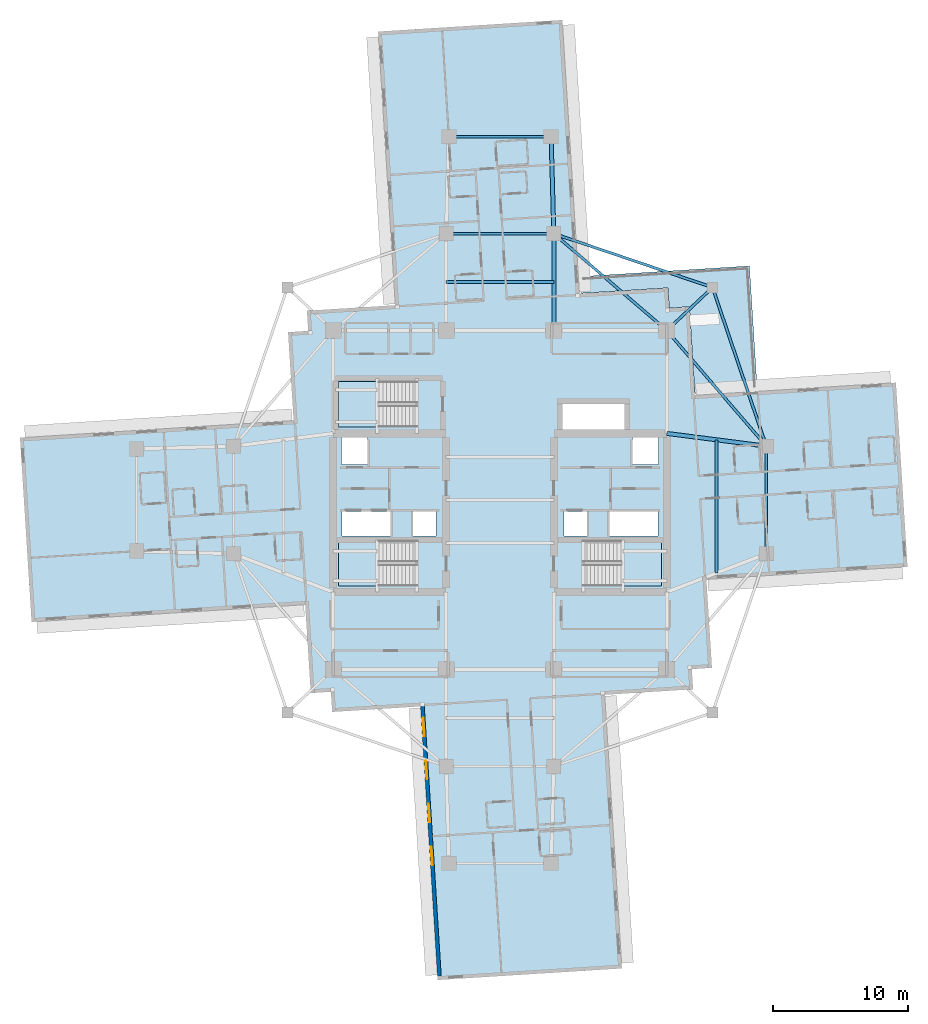
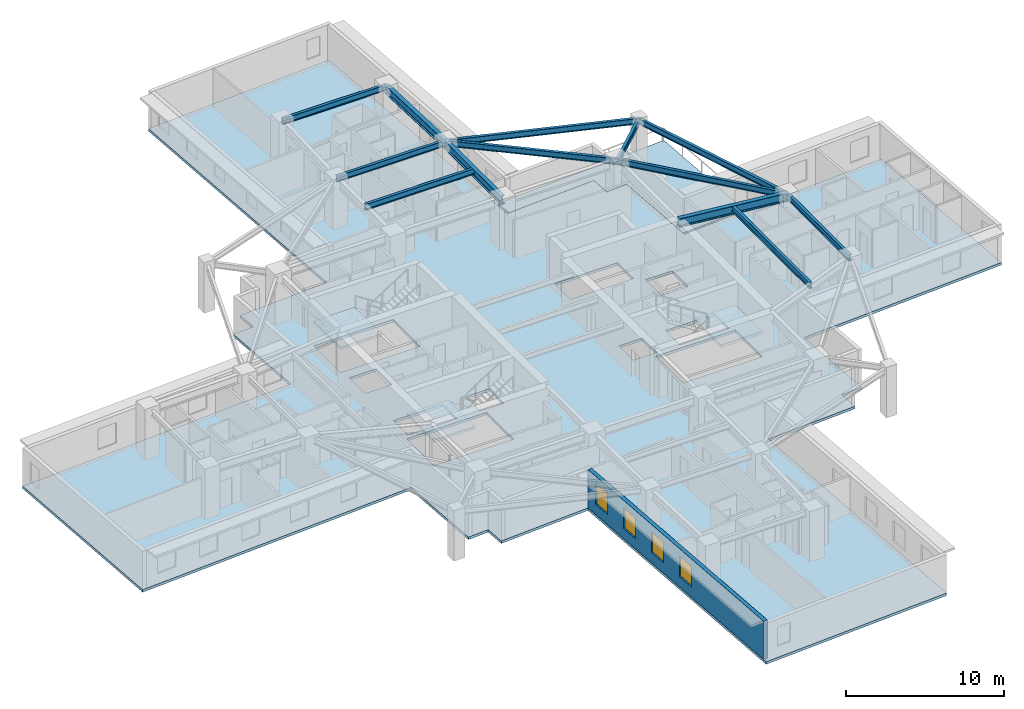
# One storey, part 2 of 14: 13 beams, 5 slabs, 4 windows, 1 wall, 4 openings, 3 elements without a shape of their own.
"""IFC4 building model written with IfcOpenShell, lengths in metres."""

from ifc_helpers import new_model, si_unit, direction, frame, frame_2d, origin, origin_2d, place, context, subcontext, project, spatial, polyline, rectangle, i_section, outline, extrude, material, layer, layer_set, material_profile, profile_set, type_object, element, fill, aggregate, save


model = new_model("IFC4")

# Units and contexts
model_context = context("Model", 3, precision=1e-05, world=origin(), true_north=direction((0.0, 1.0)))
body_context = subcontext(model_context, "Body", "Model", "MODEL_VIEW")
ifc_project = project(units=[si_unit("LENGTHUNIT", "METRE"), si_unit("AREAUNIT", "SQUARE_METRE"), si_unit("VOLUMEUNIT", "CUBIC_METRE"), si_unit("PLANEANGLEUNIT", "RADIAN"), si_unit("MASSUNIT", "GRAM", prefix="KILO")], contexts=[model_context])

# Site, building, storey
site_placement = place(None, origin())
site = spatial("IfcSite", under=ifc_project, at=site_placement, CompositionType="ELEMENT")
building_placement = place(site_placement, origin())
building = spatial("IfcBuilding", under=site, at=building_placement, Name="Qingluan Cross Belvedere", CompositionType="ELEMENT")
storey_placement = place(building_placement, frame((0.0, 0.0, 128.10009765625)))
storey = spatial("IfcBuildingStorey", under=building, at=storey_placement, Name="L32", CompositionType="ELEMENT", Elevation=128.10009765625)

# Beams
ifc_material_1 = material(Name="Steel Q420GJB", Category="steel")
ifc_material_profile_1 = material_profile(ifc_material_1, i_section(OverallWidth=0.199951171875, OverallDepth=0.449951171875, WebThickness=0.009033203125, FlangeThickness=0.013916015625, FilletRadius=0.01611328125, at=origin_2d()), Name="HN450x200x9x14")
ifc_profile_set_1 = profile_set([ifc_material_profile_1], Name="Steel Q420GJB")
beam_type_1 = type_object("IfcBeamType", Name="Steel_Beam_HN450x200x9x14", PredefinedType="JOIST", material=ifc_profile_set_1)
beam_1_placement = place(storey_placement, frame((12.39990234375, 12.60009765625, 3.454833984375), z_axis=(0.728219948308, 0.685343495546, 0.0), x_axis=(-0.685343495546, 0.728219948308, 0.0)))
element("IfcBeam", 1, at=beam_1_placement, inside=storey, type_object=beam_type_1, Name="Corner beam 1 L32-RNE", PredefinedType="JOIST", context=body_context, shape_type="SweptSolid", body=[
    extrude(i_section(OverallWidth=0.199951171875, OverallDepth=0.449951171875, WebThickness=0.009033203125, FlangeThickness=0.013916015625, FilletRadius=0.01611328125, at=origin_2d()), origin(), (0.0, 0.0, 1.0), 4.669189453125),
])
for number, where, z_axis, x_axis, name in (
    (2, (15.800048828125, 15.800048828125, 3.454833984375), (-0.947066283324, 0.321038089628, 0.0), (-0.321038089628, -0.947066283324, 0.0), "Corner beam 2 L32-RNE"),
    (3, (15.800048828125, 15.800048828125, 3.454833984375), (0.321038089628, -0.947066283324, 0.0), (0.947066283324, 0.321038089628, 0.0), "Corner beam 3 L32-RNE"),
):
    element("IfcBeam", number, at=place(storey_placement, frame(where, z_axis=z_axis, x_axis=x_axis)), inside=storey, type_object=beam_type_1, Name=name, PredefinedType="JOIST", context=body_context, shape_type="SweptSolid", body=[
        extrude(i_section(OverallWidth=0.199951171875, OverallDepth=0.449951171875, WebThickness=0.009033203125, FlangeThickness=0.013916015625, FilletRadius=0.01611328125, at=origin_2d()), origin(), (0.0, 0.0, 1.0), 12.45947265625),
    ])
beam_2_placement = place(storey_placement, frame((12.39990234375, 12.60009765625, 3.454833984375), z_axis=(0.652245077546, -0.75800815221, 0.0), x_axis=(0.75800815221, 0.652245077546, 0.0)))
element("IfcBeam", 4, at=beam_2_placement, inside=storey, type_object=beam_type_1, Name="Corner beam 4 L32-RNE", PredefinedType="JOIST", context=body_context, shape_type="SweptSolid", body=[
    extrude(i_section(OverallWidth=0.199951171875, OverallDepth=0.449951171875, WebThickness=0.009033203125, FlangeThickness=0.013916015625, FilletRadius=0.01611328125, at=origin_2d()), origin(), (0.0, 0.0, 1.0), 11.345703125),
])
beam_3_placement = place(storey_placement, frame((12.39990234375, 12.60009765625, 3.454833984375), z_axis=(-0.759255044656, 0.650793190779, 0.0), x_axis=(-0.650793190779, -0.759255044656, 0.0)))
element("IfcBeam", 5, at=beam_3_placement, inside=storey, type_object=beam_type_1, Name="Corner beam 5 L32-RNE", PredefinedType="JOIST", context=body_context, shape_type="SweptSolid", body=[
    extrude(i_section(OverallWidth=0.199951171875, OverallDepth=0.449951171875, WebThickness=0.009033203125, FlangeThickness=0.013916015625, FilletRadius=0.01611328125, at=origin_2d()), origin(), (0.0, 0.0, 1.0), 11.063232421875),
])
beam_4_placement = place(storey_placement, frame((19.800048828125, -4.0, 3.474853515625), z_axis=(0.0, 1.0, 0.0), x_axis=(-1.0, 0.0, 0.0)))
element("IfcBeam", 6, at=beam_4_placement, inside=storey, type_object=beam_type_1, Name="Arm E tie L32", PredefinedType="JOIST", context=body_context, shape_type="SweptSolid", body=[
    extrude(i_section(OverallWidth=0.199951171875, OverallDepth=0.449951171875, WebThickness=0.009033203125, FlangeThickness=0.013916015625, FilletRadius=0.01611328125, at=origin_2d()), origin(), (0.0, 0.0, 1.0), 8.0),
])
beam_5_placement = place(storey_placement, frame((16.10009765625, -5.425048828125, 3.474853515625), z_axis=(0.0, 1.0, 0.0), x_axis=(-1.0, 0.0, 0.0)))
element("IfcBeam", 7, at=beam_5_placement, inside=storey, type_object=beam_type_1, Name="Arm E beam L32", PredefinedType="JOIST", context=body_context, shape_type="SweptSolid", body=[
    extrude(i_section(OverallWidth=0.199951171875, OverallDepth=0.449951171875, WebThickness=0.009033203125, FlangeThickness=0.013916015625, FilletRadius=0.01611328125, at=origin_2d()), origin(), (0.0, 0.0, 1.0), 9.900146484375),
])
for number, where, z_axis, x_axis, name in (
    (8, (-4.0, 19.800048828125, 3.474853515625), (1.0, 0.0, 0.0), (0.0, 1.0, 0.0), "Arm N tie L32"),
    (9, (-4.0, 16.199951171875, 3.474853515625), (1.0, 0.0, 0.0), (0.0, 1.0, 0.0), "Arm N beam L32"),
):
    element("IfcBeam", number, at=place(storey_placement, frame(where, z_axis=z_axis, x_axis=x_axis)), inside=storey, type_object=beam_type_1, Name=name, PredefinedType="JOIST", context=body_context, shape_type="SweptSolid", body=[
        extrude(i_section(OverallWidth=0.199951171875, OverallDepth=0.449951171875, WebThickness=0.009033203125, FlangeThickness=0.013916015625, FilletRadius=0.01611328125, at=origin_2d()), origin(), (0.0, 0.0, 1.0), 8.0),
    ])
beam_6_placement = place(storey_placement, frame((-3.800048828125, 27.0, 3.474853515625), z_axis=(1.0, 0.0, 0.0), x_axis=(0.0, 1.0, 0.0)))
element("IfcBeam", 10, at=beam_6_placement, inside=storey, type_object=beam_type_1, Name="Arm N tip transverse beam L32", PredefinedType="JOIST", context=body_context, shape_type="SweptSolid", body=[
    extrude(i_section(OverallWidth=0.199951171875, OverallDepth=0.449951171875, WebThickness=0.009033203125, FlangeThickness=0.013916015625, FilletRadius=0.01611328125, at=origin_2d()), origin(), (0.0, 0.0, 1.0), 7.60009765625),
])
ifc_material_2 = material(Name="Steel Q420GJB", Category="steel")
ifc_material_profile_2 = material_profile(ifc_material_2, i_section(OverallWidth=0.300048828125, OverallDepth=0.64990234375, WebThickness=0.014404296875, FlangeThickness=0.02587890625, FilletRadius=0.027099609375, at=origin_2d()), Name="HEB650")
ifc_profile_set_2 = profile_set([ifc_material_profile_2], Name="Steel Q420GJB")
beam_type_2 = type_object("IfcBeamType", Name="Steel_Girder_HEB650", PredefinedType="USERDEFINED", material=ifc_profile_set_2)
beam_7_placement = place(storey_placement, frame((12.39990234375, 4.949951171875, 3.375), z_axis=(0.991861120628, -0.12732445714, 0.0), x_axis=(0.12732445714, 0.991861120628, 0.0)))
element("IfcBeam", 11, at=beam_7_placement, inside=storey, type_object=beam_type_2, Name="Arm E radial girder B L32", ObjectType="GIRDER", PredefinedType="USERDEFINED", context=body_context, shape_type="SweptSolid", body=[
    extrude(i_section(OverallWidth=0.300048828125, OverallDepth=0.64990234375, WebThickness=0.014404296875, FlangeThickness=0.02587890625, FilletRadius=0.027099609375, at=origin_2d()), origin(), (0.0, 0.0, 1.0), 7.4609375),
])
beam_8_placement = place(storey_placement, frame((4.0, 12.60009765625, 3.375), z_axis=(0.0, 1.0, 0.0), x_axis=(-1.0, 0.0, 0.0)))
element("IfcBeam", 12, at=beam_8_placement, inside=storey, type_object=beam_type_2, Name="Arm N radial girder B L32", ObjectType="GIRDER", PredefinedType="USERDEFINED", context=body_context, shape_type="SweptSolid", body=[
    extrude(i_section(OverallWidth=0.300048828125, OverallDepth=0.64990234375, WebThickness=0.014404296875, FlangeThickness=0.02587890625, FilletRadius=0.027099609375, at=origin_2d()), origin(), (0.0, 0.0, 1.0), 7.199951171875),
])
beam_9_placement = place(storey_placement, frame((4.0, 19.800048828125, 3.375), z_axis=(-0.027760481514, 0.999614603568, 0.0), x_axis=(-0.999614603568, -0.027760481514, 0.0)))
element("IfcBeam", 13, at=beam_9_placement, inside=storey, type_object=beam_type_2, Name="Arm N outer radial girder B L32", ObjectType="GIRDER", PredefinedType="USERDEFINED", context=body_context, shape_type="SweptSolid", body=[
    extrude(i_section(OverallWidth=0.300048828125, OverallDepth=0.64990234375, WebThickness=0.014404296875, FlangeThickness=0.02587890625, FilletRadius=0.027099609375, at=origin_2d()), origin(), (0.0, 0.0, 1.0), 7.20263671875),
])

# Slab
ifc_material_3 = material(Name="Concrete C40", Category="concrete")
ifc_layer_1 = layer(ifc_material_3, 0.199951171875, Name="FloorSlab_200")
ifc_layer_set_1 = layer_set([ifc_layer_1], Name="Concrete C40")
slab_type_1 = type_object("IfcSlabType", Name="FloorSlab_200", PredefinedType="FLOOR", material=ifc_layer_set_1)
slab_1_placement = place(storey_placement, frame((0.0, 0.0, -0.2001953125)))
element("IfcSlab", 14, at=slab_1_placement, inside=storey, type_object=slab_type_1, Name="Structural floor slab L32", PredefinedType="FLOOR", context=body_context, shape_type="SweptSolid", body=[
    extrude(outline(polyline([(9.064208984375, -34.819580078125), (7.78466796875, -14.479736328125), (14.3515625, -14.066650390625), (14.25732421875, -12.569580078125), (15.75439453125, -12.475341796875), (15.34130859375, -5.908447265625), (30.291748046875, -4.9677734375), (29.43017578125, 8.72509765625), (14.479736328125, 7.78466796875), (14.066650390625, 14.3515625), (12.569580078125, 14.25732421875), (12.475341796875, 15.75439453125), (5.908447265625, 15.34130859375), (4.628662109375, 35.680908203125), (-9.064208984375, 34.819580078125), (-7.78466796875, 14.479736328125), (-14.3515625, 14.066650390625), (-14.25732421875, 12.569580078125), (-15.75439453125, 12.475341796875), (-15.34130859375, 5.908447265625), (-35.680908203125, 4.628662109375), (-34.819580078125, -9.064208984375), (-14.479736328125, -7.78466796875), (-14.066650390625, -14.3515625), (-12.569580078125, -14.25732421875), (-12.475341796875, -15.75439453125), (-5.908447265625, -15.34130859375), (-4.628662109375, -35.680908203125), (9.064208984375, -34.819580078125)]), holes=[polyline([(-12.0, -3.0), (-6.179931640625, -3.0), (-6.179931640625, -6.39990234375), (-12.0, -6.39990234375), (-12.0, -3.0)]), polyline([(6.179931640625, -3.0), (12.0, -3.0), (12.0, -6.39990234375), (6.179931640625, -6.39990234375), (6.179931640625, -3.0)]), polyline([(-12.0, 8.820068359375), (-6.179931640625, 8.820068359375), (-6.179931640625, 5.419921875), (-12.0, 5.419921875), (-12.0, 8.820068359375)]), polyline([(-11.800048828125, 4.64990234375), (-9.85009765625, 4.64990234375), (-9.85009765625, 2.64990234375), (-11.800048828125, 2.64990234375), (-11.800048828125, 4.64990234375)]), polyline([(9.85009765625, 4.64990234375), (11.800048828125, 4.64990234375), (11.800048828125, 2.64990234375), (9.85009765625, 2.64990234375), (9.85009765625, 4.64990234375)]), polyline([(-11.75, -0.840087890625), (-8.14990234375, -0.840087890625), (-8.14990234375, -2.659912109375), (-11.75, -2.659912109375), (-11.75, -0.840087890625)]), polyline([(-6.449951171875, -0.840087890625), (-4.75, -0.840087890625), (-4.75, -2.659912109375), (-6.449951171875, -2.659912109375), (-6.449951171875, -0.840087890625)]), polyline([(4.75, -0.840087890625), (6.449951171875, -0.840087890625), (6.449951171875, -2.659912109375), (4.75, -2.659912109375), (4.75, -0.840087890625)]), polyline([(8.14990234375, -0.840087890625), (11.75, -0.840087890625), (11.75, -2.659912109375), (8.14990234375, -2.659912109375), (8.14990234375, -0.840087890625)]), polyline([(4.64990234375, 7.14990234375), (9.25, 7.14990234375), (9.25, 5.14990234375), (4.64990234375, 5.14990234375), (4.64990234375, 7.14990234375)])]), origin(), (0.0, 0.0, 1.0), 0.2001953125),
])

# Stair, slab
ifc_material_4 = material(Name="Concrete C40", Category="concrete")
stair_type = type_object("IfcStairType", Name="CoreDoglegStair_1620", PredefinedType="HALF_TURN_STAIR", material=ifc_material_4)
stair_1_placement = place(storey_placement, origin())
stair_1 = element("IfcStair", 15, at=stair_1_placement, inside=storey, type_object=stair_type, Name="L32 ST1", PredefinedType="HALF_TURN_STAIR")
ifc_material_5 = material(Name="Concrete C40", Category="concrete")
ifc_layer_2 = layer(ifc_material_5, 0.179931640625, Name="StairLandingSlab_180")
ifc_layer_set_2 = layer_set([ifc_layer_2], Name="Concrete C40")
slab_type_2 = type_object("IfcSlabType", Name="StairLandingSlab_180", PredefinedType="LANDING", material=ifc_layer_set_2)
slab_2_placement = place(storey_placement, frame((0.0, 0.0, 1.75)))
slab_2 = element("IfcSlab", 16, at=slab_2_placement, type_object=slab_type_2, Name="ST1 landing 1", PredefinedType="LANDING", context=body_context, shape_type="SweptSolid", body=[
    extrude(outline(polyline([(-8.97998046875, -3.0), (-12.0, -3.0), (-12.0, -6.39990234375), (-8.97998046875, -6.39990234375), (-8.97998046875, -3.0)])), origin(), (0.0, 0.0, 1.0), 0.199951171875),
])
aggregate(stair_1, [slab_2])

stair_2_placement = place(storey_placement, origin())
stair_2 = element("IfcStair", 17, at=stair_2_placement, inside=storey, type_object=stair_type, Name="L32 ST2", PredefinedType="HALF_TURN_STAIR")
slab_3_placement = place(storey_placement, frame((0.0, 0.0, 1.75)))
slab_3 = element("IfcSlab", 18, at=slab_3_placement, type_object=slab_type_2, Name="ST2 landing 1", PredefinedType="LANDING", context=body_context, shape_type="SweptSolid", body=[
    extrude(outline(polyline([(8.97998046875, -6.39990234375), (12.0, -6.39990234375), (12.0, -3.0), (8.97998046875, -3.0), (8.97998046875, -6.39990234375)])), origin(), (0.0, 0.0, 1.0), 0.199951171875),
])
aggregate(stair_2, [slab_3])

stair_3_placement = place(storey_placement, origin())
stair_3 = element("IfcStair", 19, at=stair_3_placement, inside=storey, type_object=stair_type, Name="L32 ST3", PredefinedType="HALF_TURN_STAIR")
slab_4_placement = place(storey_placement, frame((0.0, 0.0, 1.75)))
slab_4 = element("IfcSlab", 20, at=slab_4_placement, type_object=slab_type_2, Name="ST3 landing 1", PredefinedType="LANDING", context=body_context, shape_type="SweptSolid", body=[
    extrude(outline(polyline([(-8.97998046875, 8.820068359375), (-12.0, 8.820068359375), (-12.0, 5.419921875), (-8.97998046875, 5.419921875), (-8.97998046875, 8.820068359375)])), origin(), (0.0, 0.0, 1.0), 0.199951171875),
])
aggregate(stair_3, [slab_4])

# Slab
ifc_material_6 = material(Name="Concrete C40", Category="concrete")
ifc_layer_3 = layer(ifc_material_6, 0.219970703125, Name="TerraceSlab_220")
ifc_layer_set_3 = layer_set([ifc_layer_3], Name="Concrete C40")
slab_type_3 = type_object("IfcSlabType", Name="TerraceSlab_220", PredefinedType="FLOOR", material=ifc_layer_set_3)
slab_5_placement = place(storey_placement, frame((0.0, 0.0, -0.22021484375)))
element("IfcSlab", 21, at=slab_5_placement, inside=storey, type_object=slab_type_3, Name="Spiralling winter-garden terrace slab L32", PredefinedType="FLOOR", context=body_context, shape_type="SweptSolid", body=[
    extrude(outline(polyline([(6.047607421875, 15.360107421875), (12.48046875, 15.76318359375), (12.578857421875, 14.26806640625), (14.06591796875, 14.361572265625), (14.076416015625, 14.35400390625), (14.48095703125, 7.9248046875), (19.121826171875, 8.216796875), (18.544189453125, 17.398681640625), (5.968994140625, 16.607666015625), (6.047607421875, 15.360107421875)])), origin(), (0.0, 0.0, 1.0), 0.22021484375),
])

# Wall, openings, windows
ifc_material_7 = material(Name="Precast concrete C45", Category="concrete")
ifc_layer_4 = layer(ifc_material_7, 0.280029296875, Name="PrecastFacadeWall_280")
ifc_layer_set_4 = layer_set([ifc_layer_4], Name="Precast concrete C45")
wall_type = type_object("IfcWallType", Name="PrecastFacadeWall_280", PredefinedType="STANDARD", material=ifc_layer_set_4)
wall_placement = place(storey_placement, frame((-5.7685546875, -15.33251953125, 0.0), z_axis=(0.0, 0.0, 1.0), x_axis=(0.062784355807, -0.998027116198, 0.0)))
wall = element("IfcWall", 22, at=wall_placement, inside=storey, type_object=wall_type, Name="Facade wall L32-SA", PredefinedType="STANDARD", context=body_context, shape_type="SweptSolid", body=[
    extrude(rectangle(XDim=20.099853515625, YDim=0.280029296875, at=frame_2d((10.0498046875, 0.0))), origin(), (0.0, 0.0, 1.0), 2.969970703125),
])
opening_1_placement = place(wall_placement, frame((0.85009765625, 0.0, 0.800048828125)))
opening_1 = element("IfcOpeningElement", 23, at=opening_1_placement, cuts=wall, Name="Opening W-01", PredefinedType="OPENING", context=body_context, shape_type="SweptSolid", body=[
    extrude(rectangle(XDim=1.39990234375, YDim=1.60009765625, at=frame_2d((0.699951171875, 0.800048828125))), frame((0.0, 0.14990234375, 0.0), z_axis=(0.0, -1.0, 0.0), x_axis=(1.0, 0.0, 0.0)), (0.0, 0.0, 1.0), 0.300048828125),
])
opening_2_placement = place(wall_placement, frame((4.050048828125, 0.0, 0.800048828125)))
opening_2 = element("IfcOpeningElement", 24, at=opening_2_placement, cuts=wall, Name="Opening W-01", PredefinedType="OPENING", context=body_context, shape_type="SweptSolid", body=[
    extrude(rectangle(XDim=1.39990234375, YDim=1.60009765625, at=frame_2d((0.699951171875, 0.800048828125))), frame((0.0, 0.14990234375, 0.0), z_axis=(0.0, -1.0, 0.0), x_axis=(1.0, 0.0, 0.0)), (0.0, 0.0, 1.0), 0.300048828125),
])
opening_3_placement = place(wall_placement, frame((7.25, 0.0, 0.800048828125)))
opening_3 = element("IfcOpeningElement", 25, at=opening_3_placement, cuts=wall, Name="Opening W-01", PredefinedType="OPENING", context=body_context, shape_type="SweptSolid", body=[
    extrude(rectangle(XDim=1.39990234375, YDim=1.60009765625, at=frame_2d((0.699951171875, 0.800048828125))), frame((0.0, 0.14990234375, 0.0), z_axis=(0.0, -1.0, 0.0), x_axis=(1.0, 0.0, 0.0)), (0.0, 0.0, 1.0), 0.300048828125),
])
opening_4_placement = place(wall_placement, frame((10.449951171875, 0.0, 0.800048828125)))
opening_4 = element("IfcOpeningElement", 26, at=opening_4_placement, cuts=wall, Name="Opening W-01", PredefinedType="OPENING", context=body_context, shape_type="SweptSolid", body=[
    extrude(rectangle(XDim=1.39990234375, YDim=1.60009765625, at=frame_2d((0.699951171875, 0.800048828125))), frame((0.0, 0.14990234375, 0.0), z_axis=(0.0, -1.0, 0.0), x_axis=(1.0, 0.0, 0.0)), (0.0, 0.0, 1.0), 0.300048828125),
])
ifc_material_8 = material(Name="Thermally broken triple Low-E glass in aluminium frame", Category="aluminium")
window_type = type_object("IfcWindowType", Name="TriRibbonWin_1400x1600", PartitioningType="SINGLE_PANEL", PredefinedType="WINDOW", material=ifc_material_8)
window_1_placement = place(opening_1_placement, origin())
window_1 = element("IfcWindow", 27, at=window_1_placement, inside=storey, type_object=window_type, Name="Ribbon window L32-SA-1", OverallHeight=1.60009765625, OverallWidth=1.39990234375, PartitioningType="SINGLE_PANEL", PredefinedType="WINDOW", context=body_context, shape_type="SweptSolid", body=[
    extrude(rectangle(XDim=1.39990234375, YDim=1.60009765625, at=frame_2d((0.699951171875, 0.800048828125))), frame((0.0, 0.030029296875, 0.0), z_axis=(0.0, -1.0, 0.0), x_axis=(1.0, 0.0, 0.0)), (0.0, 0.0, 1.0), 0.06005859375),
])
fill(opening_1, window_1)
window_2_placement = place(opening_2_placement, origin())
window_2 = element("IfcWindow", 28, at=window_2_placement, inside=storey, type_object=window_type, Name="Ribbon window L32-SA-2", OverallHeight=1.60009765625, OverallWidth=1.39990234375, PartitioningType="SINGLE_PANEL", PredefinedType="WINDOW", context=body_context, shape_type="SweptSolid", body=[
    extrude(rectangle(XDim=1.39990234375, YDim=1.60009765625, at=frame_2d((0.699951171875, 0.800048828125))), frame((0.0, 0.030029296875, 0.0), z_axis=(0.0, -1.0, 0.0), x_axis=(1.0, 0.0, 0.0)), (0.0, 0.0, 1.0), 0.06005859375),
])
fill(opening_2, window_2)
window_3_placement = place(opening_3_placement, origin())
window_3 = element("IfcWindow", 29, at=window_3_placement, inside=storey, type_object=window_type, Name="Ribbon window L32-SA-3", OverallHeight=1.60009765625, OverallWidth=1.39990234375, PartitioningType="SINGLE_PANEL", PredefinedType="WINDOW", context=body_context, shape_type="SweptSolid", body=[
    extrude(rectangle(XDim=1.39990234375, YDim=1.60009765625, at=frame_2d((0.699951171875, 0.800048828125))), frame((0.0, 0.030029296875, 0.0), z_axis=(0.0, -1.0, 0.0), x_axis=(1.0, 0.0, 0.0)), (0.0, 0.0, 1.0), 0.06005859375),
])
fill(opening_3, window_3)
window_4_placement = place(opening_4_placement, origin())
window_4 = element("IfcWindow", 30, at=window_4_placement, inside=storey, type_object=window_type, Name="Ribbon window L32-SA-4", OverallHeight=1.60009765625, OverallWidth=1.39990234375, PartitioningType="SINGLE_PANEL", PredefinedType="WINDOW", context=body_context, shape_type="SweptSolid", body=[
    extrude(rectangle(XDim=1.39990234375, YDim=1.60009765625, at=frame_2d((0.699951171875, 0.800048828125))), frame((0.0, 0.030029296875, 0.0), z_axis=(0.0, -1.0, 0.0), x_axis=(1.0, 0.0, 0.0)), (0.0, 0.0, 1.0), 0.06005859375),
])
fill(opening_4, window_4)

save(model, "model.ifc")
